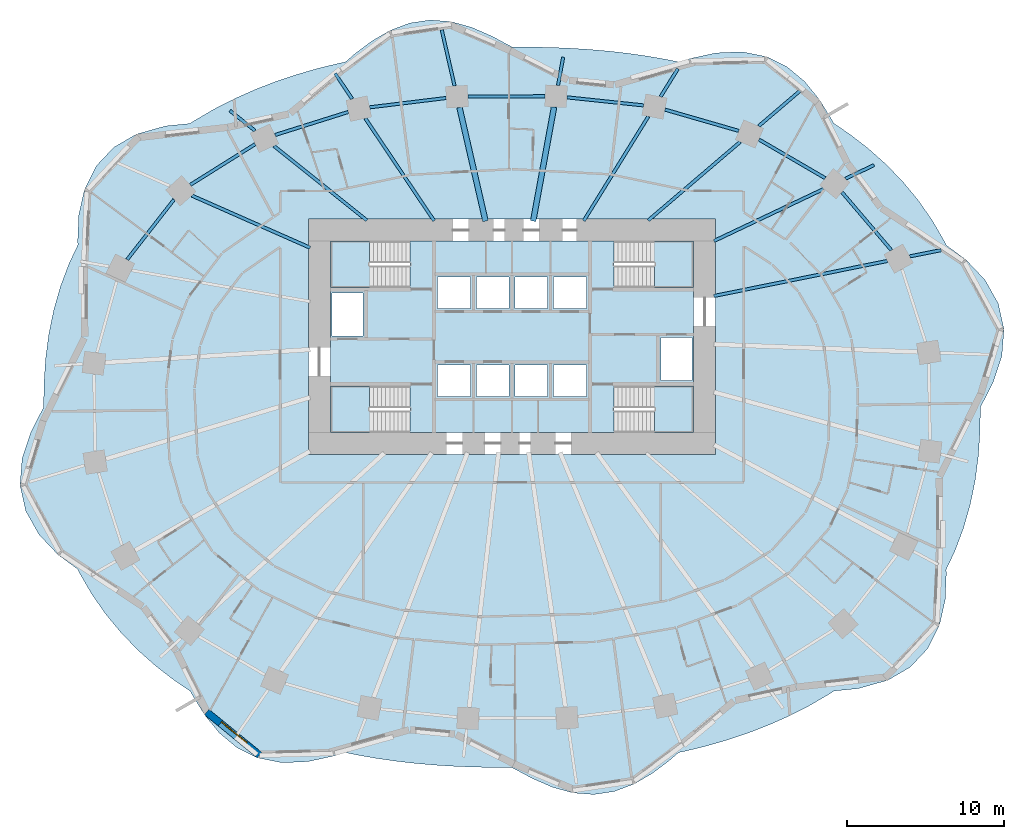
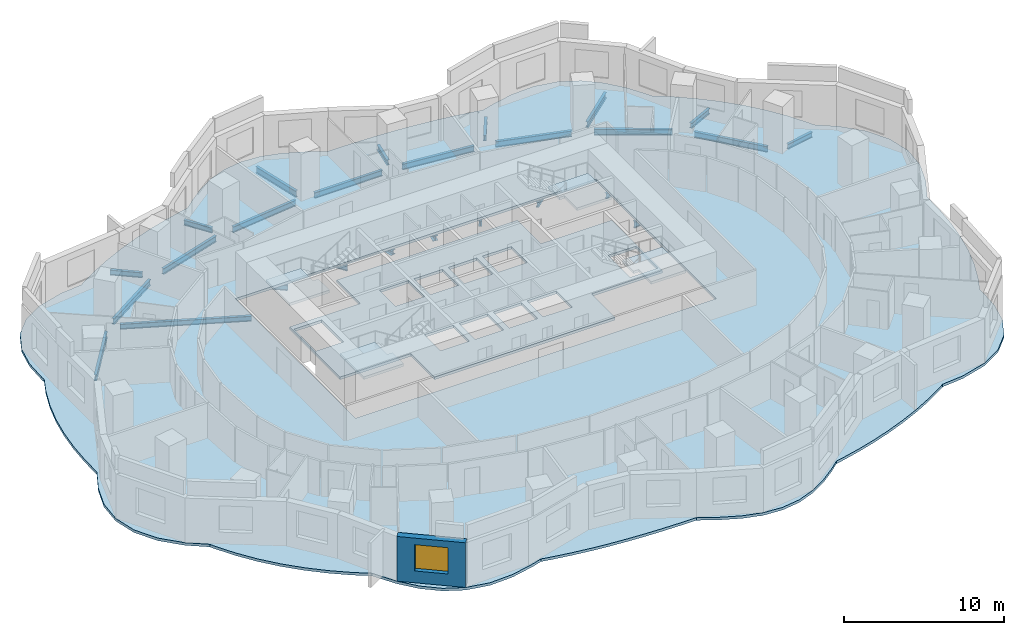
# One storey, part 2 of 11: 26 beams, 6 slabs, 1 wall, 1 window, 1 opening, 4 elements without a shape of their own.
"""IFC4 building model written with IfcOpenShell, lengths in metres."""

from ifc_helpers import new_model, si_unit, direction, frame, frame_2d, origin, origin_2d, place, context, subcontext, project, spatial, polyline, rectangle, i_section, outline, extrude, material, layer, layer_set, material_profile, profile_set, type_object, element, fill, aggregate, save


model = new_model("IFC4")

# Units and contexts
model_context = context("Model", 3, precision=1e-05, world=origin(), true_north=direction((0.0, 1.0)))
body_context = subcontext(model_context, "Body", "Model", "MODEL_VIEW")
ifc_project = project(units=[si_unit("LENGTHUNIT", "METRE"), si_unit("AREAUNIT", "SQUARE_METRE"), si_unit("VOLUMEUNIT", "CUBIC_METRE"), si_unit("PLANEANGLEUNIT", "RADIAN"), si_unit("MASSUNIT", "GRAM", prefix="KILO")], contexts=[model_context])

# Site, building, storey
site_placement = place(None, origin())
site = spatial("IfcSite", under=ifc_project, at=site_placement, CompositionType="ELEMENT")
building_placement = place(site_placement, origin())
building = spatial("IfcBuilding", under=site, at=building_placement, Name="Rubra Terraces Tower", CompositionType="ELEMENT")
storey_placement = place(building_placement, frame((0.0, 0.0, 37.5)))
storey = spatial("IfcBuildingStorey", under=building, at=storey_placement, Name="L06", CompositionType="ELEMENT", Elevation=37.5)

# Beams
ifc_material_1 = material(Name="Steel Q355B", Category="steel")
ifc_material_profile_1 = material_profile(ifc_material_1, i_section(OverallWidth=0.199951171875, OverallDepth=0.39990234375, WebThickness=0.008056640625, FlangeThickness=0.012939453125, at=origin_2d()), Name="HN 400x200x8x13")
ifc_profile_set_1 = profile_set([ifc_material_profile_1], Name="Steel Q355B")
beam_type_1 = type_object("IfcBeamType", Name="CANTILEVER BEAM HN 400x200x8x13", PredefinedType="BEAM", material=ifc_profile_set_1)
beam_1_placement = place(storey_placement, frame((25.39599609375, 9.6279296875, -0.39990234375), z_axis=(0.980195903265, 0.198030278548, 0.0), x_axis=(-0.198030278548, 0.980195903265, 0.0)))
element("IfcBeam", 1, at=beam_1_placement, inside=storey, type_object=beam_type_1, Name="beam-L06-cant-02", PredefinedType="BEAM", context=body_context, shape_type="SweptSolid", body=[
    extrude(i_section(OverallWidth=0.199951171875, OverallDepth=0.39990234375, WebThickness=0.008056640625, FlangeThickness=0.012939453125, at=origin_2d()), origin(), (0.0, 0.0, 1.0), 2.035400390625),
])
beam_2_placement = place(storey_placement, frame((21.2958984375, 14.595947265625, -0.39990234375), z_axis=(0.903591368952, 0.428395422426, 0.0), x_axis=(-0.428395422426, 0.903591368952, 0.0)))
element("IfcBeam", 2, at=beam_2_placement, inside=storey, type_object=beam_type_1, Name="beam-L06-cant-03", PredefinedType="BEAM", context=body_context, shape_type="SweptSolid", body=[
    extrude(i_section(OverallWidth=0.199951171875, OverallDepth=0.39990234375, WebThickness=0.008056640625, FlangeThickness=0.012939453125, at=origin_2d()), origin(), (0.0, 0.0, 1.0), 2.003173828125),
])
beam_3_placement = place(storey_placement, frame((9.488037109375, 19.827880859375, -0.39990234375), z_axis=(0.526190071233, 0.850366984857, 0.0), x_axis=(-0.850366984857, 0.526190071233, 0.0)))
element("IfcBeam", 3, at=beam_3_placement, inside=storey, type_object=beam_type_1, Name="beam-L06-cant-05", PredefinedType="BEAM", context=body_context, shape_type="SweptSolid", body=[
    extrude(i_section(OverallWidth=0.199951171875, OverallDepth=0.39990234375, WebThickness=0.008056640625, FlangeThickness=0.012939453125, at=origin_2d()), origin(), (0.0, 0.0, 1.0), 2.094482421875),
])
beam_4_placement = place(storey_placement, frame((2.93798828125, 20.549072265625, -0.39990234375), z_axis=(0.180016854408, 0.983663525871, 0.0), x_axis=(-0.983663525871, 0.180016854408, 0.0)))
element("IfcBeam", 4, at=beam_4_placement, inside=storey, type_object=beam_type_1, Name="beam-L06-cant-06", PredefinedType="BEAM", context=body_context, shape_type="SweptSolid", body=[
    extrude(i_section(OverallWidth=0.199951171875, OverallDepth=0.39990234375, WebThickness=0.008056640625, FlangeThickness=0.012939453125, at=origin_2d()), origin(), (0.0, 0.0, 1.0), 1.82275390625),
])
beam_5_placement = place(storey_placement, frame((-10.199951171875, 19.68310546875, -0.39990234375), z_axis=(-0.557732327532, 0.830020873729, 0.0), x_axis=(-0.830020873729, -0.557732327532, 0.0)))
element("IfcBeam", 5, at=beam_5_placement, inside=storey, type_object=beam_type_1, Name="beam-L06-cant-08", PredefinedType="BEAM", context=body_context, shape_type="SweptSolid", body=[
    extrude(i_section(OverallWidth=0.199951171875, OverallDepth=0.39990234375, WebThickness=0.008056640625, FlangeThickness=0.012939453125, at=origin_2d()), origin(), (0.0, 0.0, 1.0), 1.96728515625),
])
beam_6_placement = place(storey_placement, frame((-16.408935546875, 17.654052734375, -0.39990234375), z_axis=(-0.780088162003, 0.625669608901, 0.0), x_axis=(-0.625669608901, -0.780088162003, 0.0)))
element("IfcBeam", 6, at=beam_6_placement, inside=storey, type_object=beam_type_1, Name="beam-L06-cant-09", PredefinedType="BEAM", context=body_context, shape_type="SweptSolid", body=[
    extrude(i_section(OverallWidth=0.199951171875, OverallDepth=0.39990234375, WebThickness=0.008056640625, FlangeThickness=0.012939453125, at=origin_2d()), origin(), (0.0, 0.0, 1.0), 2.0458984375),
])
ifc_material_profile_2 = material_profile(ifc_material_1, i_section(OverallWidth=0.198974609375, OverallDepth=0.446044921875, WebThickness=0.008056640625, FlangeThickness=0.011962890625, at=origin_2d()), Name="HN 446x199x8x12")
ifc_profile_set_2 = profile_set([ifc_material_profile_2], Name="Steel Q355B")
beam_type_2 = type_object("IfcBeamType", Name="CANTILEVER BEAM HN 446x199x8x12", PredefinedType="BEAM", material=ifc_profile_set_2)
beam_7_placement = place(storey_placement, frame((15.7509765625, 17.947998046875, -0.423095703125), z_axis=(0.76041784496, 0.649434139129, 0.0), x_axis=(-0.649434139129, 0.76041784496, 0.0)))
element("IfcBeam", 7, at=beam_7_placement, inside=storey, type_object=beam_type_2, Name="beam-L06-cant-04", PredefinedType="BEAM", context=body_context, shape_type="SweptSolid", body=[
    extrude(i_section(OverallWidth=0.198974609375, OverallDepth=0.446044921875, WebThickness=0.008056640625, FlangeThickness=0.011962890625, at=origin_2d()), origin(), (0.0, 0.0, 1.0), 3.468994140625),
])
ifc_material_profile_3 = material_profile(ifc_material_1, i_section(OverallWidth=0.198974609375, OverallDepth=0.49609375, WebThickness=0.009033203125, FlangeThickness=0.013916015625, at=origin_2d()), Name="HN 496x199x9x14")
ifc_profile_set_3 = profile_set([ifc_material_profile_3], Name="Steel Q355B")
beam_type_3 = type_object("IfcBeamType", Name="CANTILEVER BEAM HN 496x199x9x14", PredefinedType="BEAM", material=ifc_profile_set_3)
beam_8_placement = place(storey_placement, frame((-3.6669921875, 20.514892578125, -0.447998046875), z_axis=(-0.22319553445, 0.974773693429, 0.0), x_axis=(-0.974773693429, -0.22319553445, 0.0)))
element("IfcBeam", 8, at=beam_8_placement, inside=storey, type_object=beam_type_3, Name="beam-L06-cant-07", PredefinedType="BEAM", context=body_context, shape_type="SweptSolid", body=[
    extrude(i_section(OverallWidth=0.198974609375, OverallDepth=0.49609375, WebThickness=0.009033203125, FlangeThickness=0.013916015625, at=origin_2d()), origin(), (0.0, 0.0, 1.0), 3.66552734375),
])
ifc_material_profile_4 = material_profile(ifc_material_1, i_section(OverallWidth=0.199951171875, OverallDepth=0.39990234375, WebThickness=0.008056640625, FlangeThickness=0.012939453125, at=origin_2d()), Name="HN 400x200x8x13")
ifc_profile_set_4 = profile_set([ifc_material_profile_4], Name="Steel Q355B")
beam_type_4 = type_object("IfcBeamType", Name="FLOOR BEAM HN 400x200x8x13", PredefinedType="BEAM", material=ifc_profile_set_4)
beam_9_placement = place(storey_placement, frame((19.904052734375, 13.93603515625, -0.39990234375), z_axis=(-0.903612237836, -0.428351402045, 0.0), x_axis=(0.428351402045, -0.903612237836, 0.0)))
element("IfcBeam", 9, at=beam_9_placement, inside=storey, type_object=beam_type_4, Name="beam-L06-floor-03", PredefinedType="BEAM", context=body_context, shape_type="SweptSolid", body=[
    extrude(i_section(OverallWidth=0.199951171875, OverallDepth=0.39990234375, WebThickness=0.008056640625, FlangeThickness=0.012939453125, at=origin_2d()), origin(), (0.0, 0.0, 1.0), 7.760009765625),
])
beam_10_placement = place(storey_placement, frame((14.56298828125, 16.93408203125, -0.39990234375), z_axis=(-0.760494401061, -0.649344489431, 0.0), x_axis=(0.649344489431, -0.760494401061, 0.0)))
element("IfcBeam", 10, at=beam_10_placement, inside=storey, type_object=beam_type_4, Name="beam-L06-floor-04", PredefinedType="BEAM", context=body_context, shape_type="SweptSolid", body=[
    extrude(i_section(OverallWidth=0.199951171875, OverallDepth=0.39990234375, WebThickness=0.008056640625, FlangeThickness=0.012939453125, at=origin_2d()), origin(), (0.0, 0.0, 1.0), 7.718505859375),
])
beam_11_placement = place(storey_placement, frame((8.699951171875, 18.555908203125, -0.39990234375), z_axis=(-0.526285914839, -0.850307671283, 0.0), x_axis=(0.850307671283, -0.526285914839, 0.0)))
element("IfcBeam", 11, at=beam_11_placement, inside=storey, type_object=beam_type_4, Name="beam-L06-floor-05", PredefinedType="BEAM", context=body_context, shape_type="SweptSolid", body=[
    extrude(i_section(OverallWidth=0.199951171875, OverallDepth=0.39990234375, WebThickness=0.008056640625, FlangeThickness=0.012939453125, at=origin_2d()), origin(), (0.0, 0.0, 1.0), 7.830078125),
])
beam_12_placement = place(storey_placement, frame((-9.360107421875, 18.43310546875, -0.39990234375), z_axis=(0.557574689395, -0.830126776912, 0.0), x_axis=(0.830126776912, 0.557574689395, 0.0)))
element("IfcBeam", 12, at=beam_12_placement, inside=storey, type_object=beam_type_4, Name="beam-L06-floor-08", PredefinedType="BEAM", context=body_context, shape_type="SweptSolid", body=[
    extrude(i_section(OverallWidth=0.199951171875, OverallDepth=0.39990234375, WebThickness=0.008056640625, FlangeThickness=0.012939453125, at=origin_2d()), origin(), (0.0, 0.0, 1.0), 7.8701171875),
])
beam_13_placement = place(storey_placement, frame((-15.18896484375, 16.676025390625, -0.39990234375), z_axis=(0.780266406942, -0.625447307291, 0.0), x_axis=(0.625447307291, 0.780266406942, 0.0)))
element("IfcBeam", 13, at=beam_13_placement, inside=storey, type_object=beam_type_4, Name="beam-L06-floor-09", PredefinedType="BEAM", context=body_context, shape_type="SweptSolid", body=[
    extrude(i_section(OverallWidth=0.199951171875, OverallDepth=0.39990234375, WebThickness=0.008056640625, FlangeThickness=0.012939453125, at=origin_2d()), origin(), (0.0, 0.0, 1.0), 7.59619140625),
])
beam_14_placement = place(storey_placement, frame((-20.43310546875, 13.508056640625, -0.39990234375), z_axis=(0.914994662209, -0.4034659442, 0.0), x_axis=(0.4034659442, 0.914994662209, 0.0)))
element("IfcBeam", 14, at=beam_14_placement, inside=storey, type_object=beam_type_4, Name="beam-L06-floor-10", PredefinedType="BEAM", context=body_context, shape_type="SweptSolid", body=[
    extrude(i_section(OverallWidth=0.199951171875, OverallDepth=0.39990234375, WebThickness=0.008056640625, FlangeThickness=0.012939453125, at=origin_2d()), origin(), (0.0, 0.0, 1.0), 8.243896484375),
])
ifc_material_profile_5 = material_profile(ifc_material_1, i_section(OverallWidth=0.198974609375, OverallDepth=0.49609375, WebThickness=0.009033203125, FlangeThickness=0.013916015625, at=origin_2d()), Name="HN 496x199x9x14")
ifc_profile_set_5 = profile_set([ifc_material_profile_5], Name="Steel Q355B")
beam_type_5 = type_object("IfcBeamType", Name="FLOOR BEAM HN 496x199x9x14", PredefinedType="BEAM", material=ifc_profile_set_5)
beam_15_placement = place(storey_placement, frame((23.9560546875, 9.337890625, -0.447998046875), z_axis=(-0.980204035637, -0.197990021264, 0.0), x_axis=(0.197990021264, -0.980204035637, 0.0)))
element("IfcBeam", 15, at=beam_15_placement, inside=storey, type_object=beam_type_5, Name="beam-L06-floor-02", PredefinedType="BEAM", context=body_context, shape_type="SweptSolid", body=[
    extrude(i_section(OverallWidth=0.198974609375, OverallDepth=0.49609375, WebThickness=0.009033203125, FlangeThickness=0.013916015625, at=origin_2d()), origin(), (0.0, 0.0, 1.0), 11.297607421875),
])
ifc_material_profile_6 = material_profile(ifc_material_1, i_section(OverallWidth=0.35009765625, OverallDepth=0.35009765625, WebThickness=0.011962890625, FlangeThickness=0.01904296875, at=origin_2d()), Name="HW 350x350x12x19")
ifc_profile_set_6 = profile_set([ifc_material_profile_6], Name="Steel Q355B")
beam_type_6 = type_object("IfcBeamType", Name="FLOOR BEAM HW 350x350x12x19", PredefinedType="BEAM", material=ifc_profile_set_6)
beam_16_placement = place(storey_placement, frame((2.68408203125, 19.158935546875, -0.375), z_axis=(-0.180186319425, -0.983632497578, 0.0), x_axis=(0.983632497578, -0.180186319425, 0.0)))
element("IfcBeam", 16, at=beam_16_placement, inside=storey, type_object=beam_type_6, Name="beam-L06-floor-06", PredefinedType="BEAM", context=body_context, shape_type="SweptSolid", body=[
    extrude(i_section(OverallWidth=0.35009765625, OverallDepth=0.35009765625, WebThickness=0.011962890625, FlangeThickness=0.01904296875, at=origin_2d()), origin(), (0.0, 0.0, 1.0), 7.39794921875),
])
beam_17_placement = place(storey_placement, frame((-3.35107421875, 19.133056640625, -0.375), z_axis=(0.223209821828, -0.974770421914, 0.0), x_axis=(0.974770421914, 0.223209821828, 0.0)))
element("IfcBeam", 17, at=beam_17_placement, inside=storey, type_object=beam_type_6, Name="beam-L06-floor-07", PredefinedType="BEAM", context=body_context, shape_type="SweptSolid", body=[
    extrude(i_section(OverallWidth=0.35009765625, OverallDepth=0.35009765625, WebThickness=0.011962890625, FlangeThickness=0.01904296875, at=origin_2d()), origin(), (0.0, 0.0, 1.0), 7.437744140625),
])
ifc_material_profile_7 = material_profile(ifc_material_1, i_section(OverallWidth=0.198974609375, OverallDepth=0.446044921875, WebThickness=0.008056640625, FlangeThickness=0.011962890625, at=origin_2d()), Name="HN 446x199x8x12")
ifc_profile_set_7 = profile_set([ifc_material_profile_7], Name="Steel Q355B")
beam_type_7 = type_object("IfcBeamType", Name="SPANDREL BEAM HN 446x199x8x12", PredefinedType="SPANDREL", material=ifc_profile_set_7)
beam_18_placement = place(storey_placement, frame((24.212890625, 10.02587890625, -0.423095703125), z_axis=(-0.648447050824, 0.761259760054, 0.0), x_axis=(-0.761259760054, -0.648447050824, 0.0)))
element("IfcBeam", 18, at=beam_18_placement, inside=storey, type_object=beam_type_7, Name="beam-L06-spandrel-02", PredefinedType="SPANDREL", context=body_context, shape_type="SweptSolid", body=[
    extrude(i_section(OverallWidth=0.198974609375, OverallDepth=0.446044921875, WebThickness=0.008056640625, FlangeThickness=0.011962890625, at=origin_2d()), origin(), (0.0, 0.0, 1.0), 4.860595703125),
])
beam_19_placement = place(storey_placement, frame((19.987060546875, 14.6240234375, -0.423095703125), z_axis=(-0.863806081452, 0.503824427402, 0.0), x_axis=(-0.503824427402, -0.863806081452, 0.0)))
element("IfcBeam", 19, at=beam_19_placement, inside=storey, type_object=beam_type_7, Name="beam-L06-spandrel-03", PredefinedType="SPANDREL", context=body_context, shape_type="SweptSolid", body=[
    extrude(i_section(OverallWidth=0.198974609375, OverallDepth=0.446044921875, WebThickness=0.008056640625, FlangeThickness=0.011962890625, at=origin_2d()), origin(), (0.0, 0.0, 1.0), 4.886474609375),
])
beam_20_placement = place(storey_placement, frame((14.47900390625, 17.636962890625, -0.423095703125), z_axis=(-0.960743980202, 0.277436487337, 0.0), x_axis=(-0.277436487337, -0.960743980202, 0.0)))
element("IfcBeam", 20, at=beam_20_placement, inside=storey, type_object=beam_type_7, Name="beam-L06-spandrel-04", PredefinedType="SPANDREL", context=body_context, shape_type="SweptSolid", body=[
    extrude(i_section(OverallWidth=0.198974609375, OverallDepth=0.446044921875, WebThickness=0.008056640625, FlangeThickness=0.011962890625, at=origin_2d()), origin(), (0.0, 0.0, 1.0), 4.90234375),
])
beam_21_placement = place(storey_placement, frame((8.39501953125, 19.26611328125, -0.423095703125), z_axis=(-0.994495375694, 0.104780473964, 0.0), x_axis=(-0.104780473964, -0.994495375694, 0.0)))
element("IfcBeam", 21, at=beam_21_placement, inside=storey, type_object=beam_type_7, Name="beam-L06-spandrel-05", PredefinedType="SPANDREL", context=body_context, shape_type="SweptSolid", body=[
    extrude(i_section(OverallWidth=0.198974609375, OverallDepth=0.446044921875, WebThickness=0.008056640625, FlangeThickness=0.011962890625, at=origin_2d()), origin(), (0.0, 0.0, 1.0), 4.9140625),
])
beam_22_placement = place(storey_placement, frame((2.110107421875, 19.85107421875, -0.423095703125), z_axis=(-0.999987924698, -0.004914311469, 0.0), x_axis=(0.004914311469, -0.999987924698, 0.0)))
element("IfcBeam", 22, at=beam_22_placement, inside=storey, type_object=beam_type_7, Name="beam-L06-spandrel-06", PredefinedType="SPANDREL", context=body_context, shape_type="SweptSolid", body=[
    extrude(i_section(OverallWidth=0.198974609375, OverallDepth=0.446044921875, WebThickness=0.008056640625, FlangeThickness=0.011962890625, at=origin_2d()), origin(), (0.0, 0.0, 1.0), 4.918212890625),
])
beam_23_placement = place(storey_placement, frame((-4.205078125, 19.739013671875, -0.423095703125), z_axis=(-0.992616576014, -0.12129440639, 0.0), x_axis=(0.12129440639, -0.992616576014, 0.0)))
element("IfcBeam", 23, at=beam_23_placement, inside=storey, type_object=beam_type_7, Name="beam-L06-spandrel-07", PredefinedType="SPANDREL", context=body_context, shape_type="SweptSolid", body=[
    extrude(i_section(OverallWidth=0.198974609375, OverallDepth=0.446044921875, WebThickness=0.008056640625, FlangeThickness=0.011962890625, at=origin_2d()), origin(), (0.0, 0.0, 1.0), 4.913330078125),
])
beam_24_placement = place(storey_placement, frame((-10.450927734375, 18.846923828125, -0.423095703125), z_axis=(-0.953954624663, -0.299950952796, 0.0), x_axis=(0.299950952796, -0.953954624663, 0.0)))
element("IfcBeam", 24, at=beam_24_placement, inside=storey, type_object=beam_type_7, Name="beam-L06-spandrel-08", PredefinedType="SPANDREL", context=body_context, shape_type="SweptSolid", body=[
    extrude(i_section(OverallWidth=0.198974609375, OverallDepth=0.446044921875, WebThickness=0.008056640625, FlangeThickness=0.011962890625, at=origin_2d()), origin(), (0.0, 0.0, 1.0), 4.900634765625),
])
beam_25_placement = place(storey_placement, frame((-16.39697265625, 16.7900390625, -0.423095703125), z_axis=(-0.847078460197, -0.531467856291, 0.0), x_axis=(0.531467856291, -0.847078460197, 0.0)))
element("IfcBeam", 25, at=beam_25_placement, inside=storey, type_object=beam_type_7, Name="beam-L06-spandrel-09", PredefinedType="SPANDREL", context=body_context, shape_type="SweptSolid", body=[
    extrude(i_section(OverallWidth=0.198974609375, OverallDepth=0.446044921875, WebThickness=0.008056640625, FlangeThickness=0.011962890625, at=origin_2d()), origin(), (0.0, 0.0, 1.0), 4.882568359375),
])
beam_26_placement = place(storey_placement, frame((-21.572998046875, 13.257080078125, -0.423095703125), z_axis=(-0.615577734286, -0.788076172112, 0.0), x_axis=(0.788076172112, -0.615577734286, 0.0)))
element("IfcBeam", 26, at=beam_26_placement, inside=storey, type_object=beam_type_7, Name="beam-L06-spandrel-10", PredefinedType="SPANDREL", context=body_context, shape_type="SweptSolid", body=[
    extrude(i_section(OverallWidth=0.198974609375, OverallDepth=0.446044921875, WebThickness=0.008056640625, FlangeThickness=0.011962890625, at=origin_2d()), origin(), (0.0, 0.0, 1.0), 4.85888671875),
])

# Slab
ifc_material_2 = material(Name="Concrete C40", Category="concrete")
ifc_layer_1 = layer(ifc_material_2, 0.199951171875)
ifc_layer_set_1 = layer_set([ifc_layer_1], Name="Concrete C40")
slab_type_1 = type_object("IfcSlabType", Name="Core floor slab 200 concrete", PredefinedType="FLOOR", material=ifc_layer_set_1)
slab_1_placement = place(storey_placement, frame((0.0, 0.0, -0.199951171875)))
element("IfcSlab", 27, at=slab_1_placement, inside=storey, type_object=slab_type_1, Name="CORE FLOOR SLAB L06", PredefinedType="FLOOR", context=body_context, shape_type="SweptSolid", body=[
    extrude(outline(polyline([(-11.60009765625, 1.347900390625), (-11.60009765625, 7.652099609375), (-6.501953125, 7.652099609375), (-6.501953125, 10.60009765625), (6.501953125, 10.60009765625), (6.501953125, 7.652099609375), (11.60009765625, 7.652099609375), (11.60009765625, 1.347900390625), (6.501953125, 1.347900390625), (6.501953125, -1.60009765625), (-6.501953125, -1.60009765625), (-6.501953125, 1.347900390625), (-11.60009765625, 1.347900390625)]), holes=[polyline([(9.5, 1.699951171875), (11.5, 1.699951171875), (11.5, 4.449951171875), (9.5, 4.449951171875), (9.5, 1.699951171875)]), polyline([(4.75, 0.699951171875), (4.75, 2.699951171875), (2.64990234375, 2.699951171875), (2.64990234375, 0.699951171875), (4.75, 0.699951171875)]), polyline([(4.75, 6.300048828125), (4.75, 8.300048828125), (2.64990234375, 8.300048828125), (2.64990234375, 6.300048828125), (4.75, 6.300048828125)]), polyline([(2.25, 0.699951171875), (2.25, 2.699951171875), (0.199951171875, 2.699951171875), (0.199951171875, 0.699951171875), (2.25, 0.699951171875)]), polyline([(2.25, 6.300048828125), (2.25, 8.300048828125), (0.199951171875, 8.300048828125), (0.199951171875, 6.300048828125), (2.25, 6.300048828125)]), polyline([(-0.199951171875, 0.699951171875), (-0.199951171875, 2.699951171875), (-2.25, 2.699951171875), (-2.25, 0.699951171875), (-0.199951171875, 0.699951171875)]), polyline([(-0.199951171875, 6.300048828125), (-0.199951171875, 8.300048828125), (-2.25, 8.300048828125), (-2.25, 6.300048828125), (-0.199951171875, 6.300048828125)]), polyline([(-2.64990234375, 0.699951171875), (-2.64990234375, 2.699951171875), (-4.75, 2.699951171875), (-4.75, 0.699951171875), (-2.64990234375, 0.699951171875)]), polyline([(-2.64990234375, 8.300048828125), (-4.75, 8.300048828125), (-4.75, 6.300048828125), (-2.64990234375, 6.300048828125), (-2.64990234375, 8.300048828125)]), polyline([(-9.5, 7.300048828125), (-11.5, 7.300048828125), (-11.5, 4.550048828125), (-9.5, 4.550048828125), (-9.5, 7.300048828125)])]), origin(), (0.0, 0.0, 1.0), 0.199951171875),
])

# Stair, slab
stair_type = type_object("IfcStairType", Name="Core stair 1400", PredefinedType="HALF_TURN_STAIR", material=ifc_material_2)
stair_1_placement = place(storey_placement, origin())
stair_1 = element("IfcStair", 28, at=stair_1_placement, inside=storey, type_object=stair_type, Name="L06 Exit stair S1", PredefinedType="HALF_TURN_STAIR")
ifc_layer_2 = layer(ifc_material_2, 0.199951171875)
ifc_layer_set_2 = layer_set([ifc_layer_2], Name="Concrete C40")
slab_type_2 = type_object("IfcSlabType", Name="Core stair landing 200", PredefinedType="LANDING", material=ifc_layer_set_2)
slab_2_placement = place(storey_placement, frame((0.0, 0.0, 1.60009765625)))
slab_2 = element("IfcSlab", 29, at=slab_2_placement, type_object=slab_type_2, Name="S1 landing 1", PredefinedType="LANDING", context=body_context, shape_type="SweptSolid", body=[
    extrude(outline(polyline([(-8.719970703125, -0.199951171875), (-8.719970703125, -1.60009765625), (-9.10009765625, -1.60009765625), (-9.1201171875, -1.60009765625), (-11.60009765625, -1.60009765625), (-11.60009765625, 1.35009765625), (-9.1201171875, 1.35009765625), (-9.097900390625, 1.35009765625), (-9.097900390625, -0.050048828125), (-9.10009765625, -0.050048828125), (-9.10009765625, -0.199951171875), (-8.719970703125, -0.199951171875)])), origin(), (0.0, 0.0, 1.0), 0.199951171875),
])
aggregate(stair_1, [slab_2])

stair_2_placement = place(storey_placement, origin())
stair_2 = element("IfcStair", 30, at=stair_2_placement, inside=storey, type_object=stair_type, Name="L06 Exit stair S2", PredefinedType="HALF_TURN_STAIR")
slab_3_placement = place(storey_placement, frame((0.0, 0.0, 1.60009765625)))
slab_3 = element("IfcSlab", 31, at=slab_3_placement, type_object=slab_type_2, Name="S2 landing 1", PredefinedType="LANDING", context=body_context, shape_type="SweptSolid", body=[
    extrude(outline(polyline([(-8.719970703125, 9.050048828125), (-8.719970703125, 7.64990234375), (-9.1201171875, 7.64990234375), (-11.60009765625, 7.64990234375), (-11.60009765625, 10.60009765625), (-9.1201171875, 10.60009765625), (-9.10009765625, 10.60009765625), (-9.097900390625, 10.60009765625), (-9.097900390625, 9.199951171875), (-9.10009765625, 9.199951171875), (-9.10009765625, 9.050048828125), (-8.719970703125, 9.050048828125)])), origin(), (0.0, 0.0, 1.0), 0.199951171875),
])
aggregate(stair_2, [slab_3])

stair_3_placement = place(storey_placement, origin())
stair_3 = element("IfcStair", 32, at=stair_3_placement, inside=storey, type_object=stair_type, Name="L06 Exit stair S3", PredefinedType="HALF_TURN_STAIR")
slab_4_placement = place(storey_placement, frame((0.0, 0.0, 1.60009765625)))
slab_4 = element("IfcSlab", 33, at=slab_4_placement, type_object=slab_type_2, Name="S3 landing 1", PredefinedType="LANDING", context=body_context, shape_type="SweptSolid", body=[
    extrude(outline(polyline([(9.10009765625, 9.050048828125), (9.10009765625, 9.199951171875), (8.719970703125, 9.199951171875), (8.719970703125, 10.60009765625), (9.10009765625, 10.60009765625), (9.1201171875, 10.60009765625), (11.60009765625, 10.60009765625), (11.60009765625, 7.64990234375), (9.1201171875, 7.64990234375), (9.097900390625, 7.64990234375), (9.097900390625, 9.050048828125), (9.10009765625, 9.050048828125)])), origin(), (0.0, 0.0, 1.0), 0.199951171875),
])
aggregate(stair_3, [slab_4])

stair_4_placement = place(storey_placement, origin())
stair_4 = element("IfcStair", 34, at=stair_4_placement, inside=storey, type_object=stair_type, Name="L06 Exit stair S4", PredefinedType="HALF_TURN_STAIR")
slab_5_placement = place(storey_placement, frame((0.0, 0.0, 1.60009765625)))
slab_5 = element("IfcSlab", 35, at=slab_5_placement, type_object=slab_type_2, Name="S4 landing 1", PredefinedType="LANDING", context=body_context, shape_type="SweptSolid", body=[
    extrude(outline(polyline([(9.10009765625, -0.199951171875), (9.10009765625, -0.050048828125), (8.719970703125, -0.050048828125), (8.719970703125, 1.35009765625), (9.10009765625, 1.35009765625), (9.1201171875, 1.35009765625), (11.60009765625, 1.35009765625), (11.60009765625, -1.60009765625), (9.1201171875, -1.60009765625), (9.10009765625, -1.60009765625), (9.097900390625, -1.60009765625), (9.097900390625, -0.199951171875), (9.10009765625, -0.199951171875)])), origin(), (0.0, 0.0, 1.0), 0.199951171875),
])
aggregate(stair_4, [slab_5])

# Slab
ifc_layer_3 = layer(ifc_material_2, 0.199951171875)
ifc_layer_set_3 = layer_set([ifc_layer_3], Name="Concrete C40")
slab_type_3 = type_object("IfcSlabType", Name="FLOOR SLAB 200 COMPOSITE", PredefinedType="FLOOR", material=ifc_layer_set_3)
slab_6_placement = place(storey_placement, frame((0.0, 0.0, -0.199951171875)))
element("IfcSlab", 36, at=slab_6_placement, inside=storey, type_object=slab_type_3, Name="FLOOR SLAB L06", PredefinedType="FLOOR", context=body_context, shape_type="SweptSolid", body=[
    extrude(outline(polyline([(20.31591796875, -18.27001953125), (20.552001953125, -18.111083984375), (22.094970703125, -17.958984375), (23.986083984375, -17.427001953125), (25.419921875, -16.591064453125), (26.54296875, -15.39697265625), (27.2900390625, -13.905029296875), (27.653076171875, -12.283935546875), (27.72509765625, -10.60595703125), (27.708984375, -10.364013671875), (28.26806640625, -9.18505859375), (28.819091796875, -7.719970703125), (29.25, -6.216064453125), (29.56298828125, -4.681884765625), (29.76708984375, -3.12890625), (29.873046875, -1.56591796875), (29.89990234375, 0.0), (30.714111328125, 1.594970703125), (31.27001953125, 3.26611328125), (31.404052734375, 4.97412109375), (31.041015625, 6.618896484375), (30.197021484375, 8.123046875), (28.97705078125, 9.4150390625), (27.719970703125, 10.341064453125), (27.60205078125, 10.591064453125), (26.820068359375, 11.93603515625), (25.929931640625, 13.2119140625), (24.951904296875, 14.39501953125), (23.885009765625, 15.5), (22.739013671875, 16.52099609375), (21.555908203125, 17.43505859375), (20.531982421875, 18.125), (20.4169921875, 18.347900390625), (19.6298828125, 19.6298828125), (18.6689453125, 20.805908203125), (17.5400390625, 21.7451171875), (16.259033203125, 22.3779296875), (14.679931640625, 22.69189453125), (13.01708984375, 22.616943359375), (11.337890625, 22.251953125), (9.77099609375, 21.76904296875), (10.64599609375, 22.0390625), (9.904052734375, 22.194091796875), (8.626953125, 22.4169921875), (7.343017578125, 22.60009765625), (6.10791015625, 22.739013671875), (4.87109375, 22.844970703125), (3.6298828125, 22.922119140625), (2.4208984375, 22.968994140625), (1.2109375, 22.993896484375), (0.0, 23.0), (-1.279052734375, 23.68505859375), (-2.580078125, 24.25390625), (-3.89892578125, 24.618896484375), (-5.22705078125, 24.718017578125), (-6.5380859375, 24.52197265625), (-7.81103515625, 24.041015625), (-8.944091796875, 23.3779296875), (-10.02294921875, 22.568115234375), (-10.633056640625, 22.041015625), (-11.173095703125, 21.927978515625), (-12.4970703125, 21.60009765625), (-13.80810546875, 21.219970703125), (-15.10107421875, 20.784912109375), (-16.43896484375, 20.264892578125), (-17.7490234375, 19.679931640625), (-19.02587890625, 19.02587890625), (-20.31591796875, 18.27001953125), (-20.552001953125, 18.111083984375), (-22.094970703125, 17.958984375), (-23.986083984375, 17.427001953125), (-25.419921875, 16.591064453125), (-26.54296875, 15.39697265625), (-27.2900390625, 13.905029296875), (-27.653076171875, 12.283935546875), (-27.72509765625, 10.60595703125), (-27.708984375, 10.364013671875), (-28.26806640625, 9.18505859375), (-28.819091796875, 7.719970703125), (-29.25, 6.216064453125), (-29.56298828125, 4.681884765625), (-29.76708984375, 3.12890625), (-29.873046875, 1.56591796875), (-29.89990234375, 0.0), (-30.714111328125, -1.594970703125), (-31.27001953125, -3.26611328125), (-31.404052734375, -4.97412109375), (-31.041015625, -6.618896484375), (-30.197021484375, -8.123046875), (-28.97705078125, -9.4150390625), (-27.719970703125, -10.341064453125), (-27.60205078125, -10.591064453125), (-26.820068359375, -11.93603515625), (-25.929931640625, -13.2119140625), (-24.951904296875, -14.39501953125), (-23.885009765625, -15.5), (-22.739013671875, -16.52099609375), (-21.555908203125, -17.43505859375), (-20.531982421875, -18.125), (-20.4169921875, -18.347900390625), (-19.6298828125, -19.6298828125), (-18.6689453125, -20.805908203125), (-17.5400390625, -21.7451171875), (-16.259033203125, -22.3779296875), (-14.679931640625, -22.69189453125), (-13.01708984375, -22.616943359375), (-11.337890625, -22.251953125), (-9.77099609375, -21.76904296875), (-10.64599609375, -22.0390625), (-9.904052734375, -22.194091796875), (-8.626953125, -22.4169921875), (-7.343017578125, -22.60009765625), (-6.10791015625, -22.739013671875), (-4.87109375, -22.844970703125), (-3.6298828125, -22.922119140625), (-2.4208984375, -22.968994140625), (-1.2109375, -22.993896484375), (0.0, -23.0), (1.279052734375, -23.68505859375), (2.580078125, -24.25390625), (3.89892578125, -24.618896484375), (5.22705078125, -24.718017578125), (6.5380859375, -24.52197265625), (7.81103515625, -24.041015625), (8.944091796875, -23.3779296875), (10.02294921875, -22.568115234375), (10.633056640625, -22.041015625), (11.173095703125, -21.927978515625), (12.4970703125, -21.60009765625), (13.80810546875, -21.219970703125), (15.10107421875, -20.784912109375), (16.43896484375, -20.264892578125), (17.7490234375, -19.679931640625), (19.02587890625, -19.02587890625), (20.31591796875, -18.27001953125)]), holes=[polyline([(13.0, 12.0), (13.0, -3.0), (-13.0, -3.0), (-13.0, 12.0), (13.0, 12.0)])]), origin(), (0.0, 0.0, 1.0), 0.199951171875),
])

# Wall, opening, window
ifc_material_3 = material(Name="Brick masonry red-brown", Category="masonry")
ifc_layer_4 = layer(ifc_material_3, 0.449951171875)
ifc_layer_set_4 = layer_set([ifc_layer_4], Name="Brick masonry red-brown")
wall_type = type_object("IfcWallType", Name="Brick facade wall 450", PredefinedType="SOLIDWALL", material=ifc_layer_set_4)
wall_placement = place(storey_placement, frame((-19.48779296875, -19.45556640625, 0.0), z_axis=(0.0, 0.0, 1.0), x_axis=(0.775096506427, -0.631842864741, 0.0)))
wall = element("IfcWall", 37, at=wall_placement, inside=storey, type_object=wall_type, Name="Facade wall L06 bay 26", PredefinedType="SOLIDWALL", context=body_context, shape_type="SweptSolid", body=[
    extrude(rectangle(XDim=4.349365234375, YDim=0.449951171875, at=frame_2d((2.1748046875, 0.0))), origin(), (0.0, 0.0, 1.0), 3.39990234375),
])
opening_placement = place(wall_placement, frame((1.12451171875, 0.0, 0.89990234375)))
opening = element("IfcOpeningElement", 38, at=opening_placement, cuts=wall, Name="Opening W1", PredefinedType="OPENING", context=body_context, shape_type="SweptSolid", body=[
    extrude(rectangle(XDim=2.10009765625, YDim=2.0, at=frame_2d((1.050048828125, 1.0))), frame((0.0, 0.23486328125, 0.0), z_axis=(0.0, -1.0, 0.0), x_axis=(1.0, 0.0, 0.0)), (0.0, 0.0, 1.0), 0.469970703125),
])
ifc_material_4 = material(Name="Clear glass in aluminium frame", Category="aluminium")
window_type = type_object("IfcWindowType", Name="Fixed deep-set window 2100 x 2000", PartitioningType="SINGLE_PANEL", PredefinedType="WINDOW", material=ifc_material_4)
window_placement = place(opening_placement, origin())
window = element("IfcWindow", 39, at=window_placement, inside=storey, type_object=window_type, Name="Window L06 bay 26", OverallHeight=2.0, OverallWidth=2.10009765625, PartitioningType="SINGLE_PANEL", PredefinedType="WINDOW", context=body_context, shape_type="SweptSolid", body=[
    extrude(rectangle(XDim=2.10009765625, YDim=2.0, at=frame_2d((1.050048828125, 1.0))), frame((0.0, 0.135009765625, 0.0), z_axis=(0.0, -1.0, 0.0), x_axis=(1.0, 0.0, 0.0)), (0.0, 0.0, 1.0), 0.06005859375),
])
fill(opening, window)

save(model, "model.ifc")
